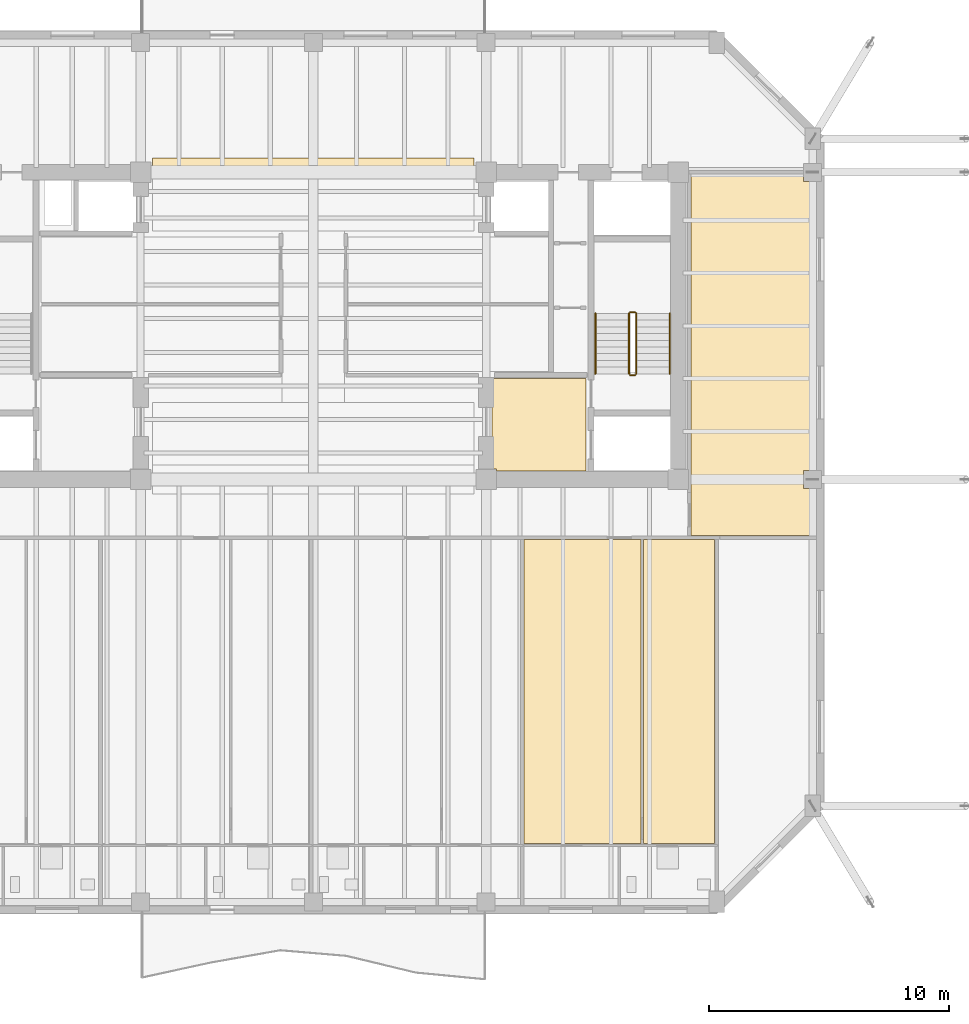
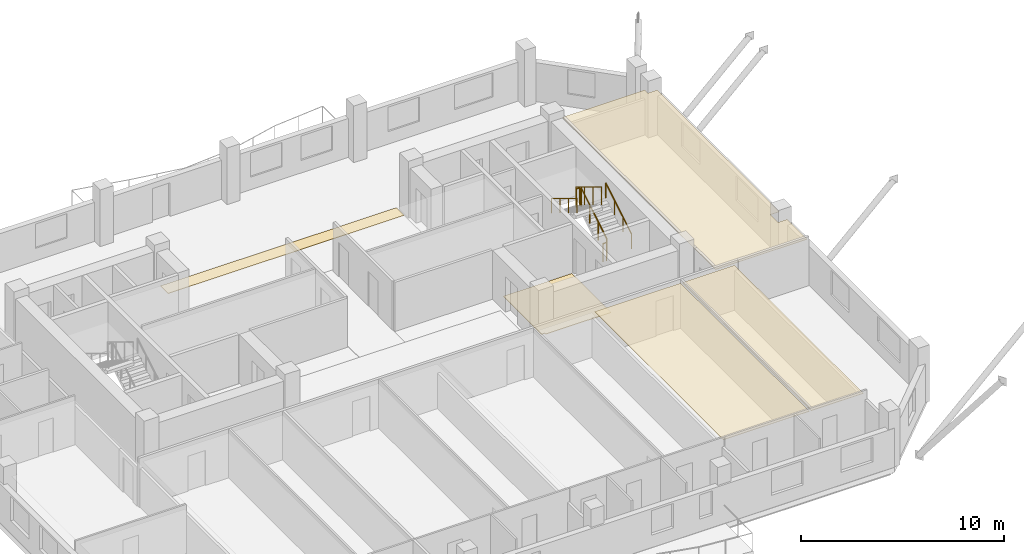
# One storey, part 10 of 12: 6 railings, 5 coverings.
"""IFC4 building model written with IfcOpenShell, lengths in metres."""

from ifc_helpers import new_model, si_unit, direction, frame, origin, origin_2d, place, context, subcontext, project, spatial, polyline, circle, outline, extrude, material, layer, layer_set, type_object, element, save


model = new_model("IFC4")

# Units and contexts
model_context = context("Model", 3, precision=1e-05, world=origin(), true_north=direction((0.0, 1.0)))
body_context = subcontext(model_context, "Body", "Model", "MODEL_VIEW")
ifc_project = project(units=[si_unit("LENGTHUNIT", "METRE"), si_unit("AREAUNIT", "SQUARE_METRE"), si_unit("VOLUMEUNIT", "CUBIC_METRE"), si_unit("PLANEANGLEUNIT", "RADIAN"), si_unit("MASSUNIT", "GRAM", prefix="KILO")], contexts=[model_context])

# Site, building, storey
site_placement = place(None, origin())
site = spatial("IfcSite", under=ifc_project, at=site_placement, CompositionType="ELEMENT")
building_placement = place(site_placement, origin())
building = spatial("IfcBuilding", under=site, at=building_placement, Name="Kranthara Brick Stack", CompositionType="ELEMENT")
storey_placement = place(building_placement, frame((0.0, 0.0, 224.5)))
storey = spatial("IfcBuildingStorey", under=building, at=storey_placement, Name="L58", CompositionType="ELEMENT", Elevation=224.5)

# Coverings
ifc_material_1 = material(Name="Perforated mineral-fibre acoustic ceiling tile", Category="other")
ifc_layer_1 = layer(ifc_material_1, 0.02490234375)
ifc_layer_set_1 = layer_set([ifc_layer_1], Name="Perforated mineral-fibre acoustic ceiling tile")
covering_type_1 = type_object("IfcCoveringType", Name="COV-CEIL-ACOUSTIC", PredefinedType="CEILING", material=ifc_layer_set_1)
covering_1_placement = place(storey_placement, frame((0.0, 0.0, 2.679931640625)))
element("IfcCovering", 1, at=covering_1_placement, inside=storey, type_object=covering_type_1, Name="L58 Unit L58D Studio Apartment Living Acoustic Ceiling", PredefinedType="CEILING", context=body_context, shape_type="SweptSolid", body=[
    extrude(outline(polyline([(41.64990234375, 5.6298828125), (41.64990234375, 18.300048828125), (36.77294921875, 18.300048828125), (36.77294921875, 5.6298828125), (41.64990234375, 5.6298828125)])), origin(), (0.0, 0.0, 1.0), 0.025146484375),
])
covering_2_placement = place(storey_placement, frame((0.0, 0.0, 2.679931640625)))
element("IfcCovering", 2, at=covering_2_placement, inside=storey, type_object=covering_type_1, Name="L58 Unit L58D Private Study Room Acoustic Ceiling", PredefinedType="CEILING", context=body_context, shape_type="SweptSolid", body=[
    extrude(outline(polyline([(44.719970703125, 5.6298828125), (44.719970703125, 18.300048828125), (41.75, 18.300048828125), (41.75, 5.6298828125), (44.719970703125, 5.6298828125)])), origin(), (0.0, 0.0, 1.0), 0.025146484375),
])
covering_3_placement = place(storey_placement, frame((0.0, 0.0, 2.679931640625)))
element("IfcCovering", 3, at=covering_3_placement, inside=storey, type_object=covering_type_1, Name="L58 L58 East Panoramic Sky Conservatory Acoustic Ceiling", PredefinedType="CEILING", context=body_context, shape_type="SweptSolid", body=[
    extrude(outline(polyline([(43.72998046875, 18.4599609375), (43.72998046875, 33.52001953125), (48.4150390625, 33.52001953125), (48.4150390625, 33.215087890625), (48.929931640625, 33.215087890625), (48.929931640625, 21.18505859375), (48.4150390625, 21.18505859375), (48.4150390625, 20.4150390625), (48.929931640625, 20.4150390625), (48.929931640625, 18.4599609375), (43.72998046875, 18.4599609375)])), origin(), (0.0, 0.0, 1.0), 0.025146484375),
])
ifc_material_2 = material(Name="Honed terrazzo and porcelain floor finish", Category="stone")
ifc_layer_2 = layer(ifc_material_2, 0.030029296875)
ifc_layer_set_2 = layer_set([ifc_layer_2], Name="Honed terrazzo and porcelain floor finish")
covering_type_2 = type_object("IfcCoveringType", Name="COV-FLOR-STONE", PredefinedType="FLOORING", material=ifc_layer_set_2)
covering_4_placement = place(storey_placement, origin())
element("IfcCovering", 4, at=covering_4_placement, inside=storey, type_object=covering_type_2, Name="L58 Lift Lobby Stone Flooring", PredefinedType="FLOORING", context=body_context, shape_type="SweptSolid", body=[
    extrude(outline(polyline([(35.449951171875, 25.0), (39.35009765625, 25.0), (39.35009765625, 21.14990234375), (35.635009765625, 21.14990234375), (35.635009765625, 21.235107421875), (35.449951171875, 21.235107421875), (35.449951171875, 25.0)])), origin(), (0.0, 0.0, 1.0), 0.030029296875),
])
covering_5_placement = place(storey_placement, origin())
element("IfcCovering", 5, at=covering_5_placement, inside=storey, type_object=covering_type_2, Name="L58 Lift Lobby Stone Flooring", PredefinedType="FLOORING", context=body_context, shape_type="SweptSolid", body=[
    extrude(outline(polyline([(34.699951171875, 33.449951171875), (21.300048828125, 33.449951171875), (21.300048828125, 34.199951171875), (34.699951171875, 34.199951171875), (34.699951171875, 33.449951171875)])), origin(), (0.0, 0.0, 1.0), 0.030029296875),
])

# Railings
ifc_material_3 = material(Name="Painted galvanized steel stair guardrail", Category="steel")
railing_type_1 = type_object("IfcRailingType", Name="RL-STAIR-GUARD-1100", PredefinedType="GUARDRAIL", material=ifc_material_3)
railing_1_placement = place(storey_placement, frame((41.449951171875, 25.199951171875, 0.169921875)))
element("IfcRailing", 6, at=railing_1_placement, inside=storey, type_object=railing_type_1, Name="L58 ST02 stair guard 1", PredefinedType="GUARDRAIL", context=body_context, shape_type="SweptSolid", body=[
    extrude(circle(Radius=0.02392578125, at=origin_2d()), frame((0.0, 0.0, 1.076171875), z_axis=(0.0, 0.85478489116, 0.518982456201), x_axis=(-1.0, 0.0, 0.0)), (0.0, 0.0, 1.0), 2.9482421875),
    extrude(circle(Radius=0.02099609375, at=origin_2d()), origin(), (0.0, 0.0, 1.0), 1.052001953125),
    extrude(circle(Radius=0.02099609375, at=origin_2d()), frame((0.0, 0.840087890625, 0.510009765625)), (0.0, 0.0, 1.0), 1.052001953125),
    extrude(circle(Radius=0.02099609375, at=origin_2d()), frame((0.0, 1.679931640625, 1.02001953125)), (0.0, 0.0, 1.0), 1.052001953125),
    extrude(circle(Radius=0.02099609375, at=origin_2d()), frame((0.0, 2.52001953125, 1.530029296875)), (0.0, 0.0, 1.0), 1.052001953125),
])
railing_2_placement = place(storey_placement, frame((41.39990234375, 27.77001953125, 1.699951171875)))
element("IfcRailing", 7, at=railing_2_placement, inside=storey, type_object=railing_type_1, Name="L58 ST02 stair guard 2", PredefinedType="GUARDRAIL", context=body_context, shape_type="SweptSolid", body=[
    extrude(circle(Radius=0.02392578125, at=origin_2d()), frame((0.0, 0.0, 1.076171875), z_axis=(-1.0, 0.0, 0.0), x_axis=(0.0, -1.0, 0.0)), (0.0, 0.0, 1.0), 0.199951171875),
    extrude(circle(Radius=0.02099609375, at=origin_2d()), origin(), (0.0, 0.0, 1.0), 1.052001953125),
    extrude(circle(Radius=0.02099609375, at=origin_2d()), frame((-0.199951171875, 0.0, 0.0)), (0.0, 0.0, 1.0), 1.052001953125),
])
railing_3_placement = place(storey_placement, frame((41.14990234375, 27.719970703125, 1.8701171875)))
element("IfcRailing", 8, at=railing_3_placement, inside=storey, type_object=railing_type_1, Name="L58 ST02 stair guard 3", PredefinedType="GUARDRAIL", context=body_context, shape_type="SweptSolid", body=[
    extrude(circle(Radius=0.02392578125, at=origin_2d()), frame((0.0, 0.0, 1.076171875), z_axis=(0.0, -0.854821627497, 0.518921945155), x_axis=(1.0, 0.0, 0.0)), (0.0, 0.0, 1.0), 2.947998046875),
    extrude(circle(Radius=0.02099609375, at=origin_2d()), origin(), (0.0, 0.0, 1.0), 1.052001953125),
    extrude(circle(Radius=0.02099609375, at=origin_2d()), frame((0.0, -0.840087890625, 0.510009765625)), (0.0, 0.0, 1.0), 1.052001953125),
    extrude(circle(Radius=0.02099609375, at=origin_2d()), frame((0.0, -1.679931640625, 1.019775390625)), (0.0, 0.0, 1.0), 1.052001953125),
    extrude(circle(Radius=0.02099609375, at=origin_2d()), frame((0.0, -2.52001953125, 1.52978515625)), (0.0, 0.0, 1.0), 1.052001953125),
])
railing_4_placement = place(storey_placement, frame((41.39990234375, 25.14990234375, 0.0)))
element("IfcRailing", 9, at=railing_4_placement, inside=storey, type_object=railing_type_1, Name="L58 ST02 stair guard 4", PredefinedType="GUARDRAIL", context=body_context, shape_type="SweptSolid", body=[
    extrude(circle(Radius=0.02392578125, at=origin_2d()), frame((0.0, 0.0, 1.076171875), z_axis=(-1.0, 0.0, 0.0), x_axis=(0.0, -1.0, 0.0)), (0.0, 0.0, 1.0), 0.199951171875),
    extrude(circle(Radius=0.02099609375, at=origin_2d()), origin(), (0.0, 0.0, 1.0), 1.052001953125),
    extrude(circle(Radius=0.02099609375, at=origin_2d()), frame((-0.199951171875, 0.0, 0.0)), (0.0, 0.0, 1.0), 1.052001953125),
])
ifc_material_4 = material(Name="Brushed stainless steel tubular handrail", Category="steel")
railing_type_2 = type_object("IfcRailingType", Name="RL-STAIR-HAND-900", PredefinedType="HANDRAIL", material=ifc_material_4)
railing_5_placement = place(storey_placement, frame((42.85009765625, 25.199951171875, 0.169921875)))
element("IfcRailing", 10, at=railing_5_placement, inside=storey, type_object=railing_type_2, Name="L58 ST02 stair handrail 1", PredefinedType="HANDRAIL", context=body_context, shape_type="SweptSolid", body=[
    extrude(circle(Radius=0.02392578125, at=origin_2d()), frame((0.0, 0.0, 0.8759765625), z_axis=(0.0, 0.85478489116, 0.518982456201), x_axis=(-1.0, 0.0, 0.0)), (0.0, 0.0, 1.0), 2.9482421875),
    extrude(circle(Radius=0.02099609375, at=origin_2d()), origin(), (0.0, 0.0, 1.0), 0.851806640625),
    extrude(circle(Radius=0.02099609375, at=origin_2d()), frame((0.0, 0.840087890625, 0.510009765625)), (0.0, 0.0, 1.0), 0.851806640625),
    extrude(circle(Radius=0.02099609375, at=origin_2d()), frame((0.0, 1.679931640625, 1.02001953125)), (0.0, 0.0, 1.0), 0.851806640625),
    extrude(circle(Radius=0.02099609375, at=origin_2d()), frame((0.0, 2.52001953125, 1.530029296875)), (0.0, 0.0, 1.0), 0.851806640625),
])
railing_6_placement = place(storey_placement, frame((39.75, 27.719970703125, 1.8701171875)))
element("IfcRailing", 11, at=railing_6_placement, inside=storey, type_object=railing_type_2, Name="L58 ST02 stair handrail 2", PredefinedType="HANDRAIL", context=body_context, shape_type="SweptSolid", body=[
    extrude(circle(Radius=0.02392578125, at=origin_2d()), frame((0.0, 0.0, 0.8759765625), z_axis=(0.0, -0.854821627497, 0.518921945155), x_axis=(1.0, 0.0, 0.0)), (0.0, 0.0, 1.0), 2.947998046875),
    extrude(circle(Radius=0.02099609375, at=origin_2d()), origin(), (0.0, 0.0, 1.0), 0.851806640625),
    extrude(circle(Radius=0.02099609375, at=origin_2d()), frame((0.0, -0.840087890625, 0.510009765625)), (0.0, 0.0, 1.0), 0.851806640625),
    extrude(circle(Radius=0.02099609375, at=origin_2d()), frame((0.0, -1.679931640625, 1.019775390625)), (0.0, 0.0, 1.0), 0.851806640625),
    extrude(circle(Radius=0.02099609375, at=origin_2d()), frame((0.0, -2.52001953125, 1.52978515625)), (0.0, 0.0, 1.0), 0.851806640625),
])

save(model, "model.ifc")
